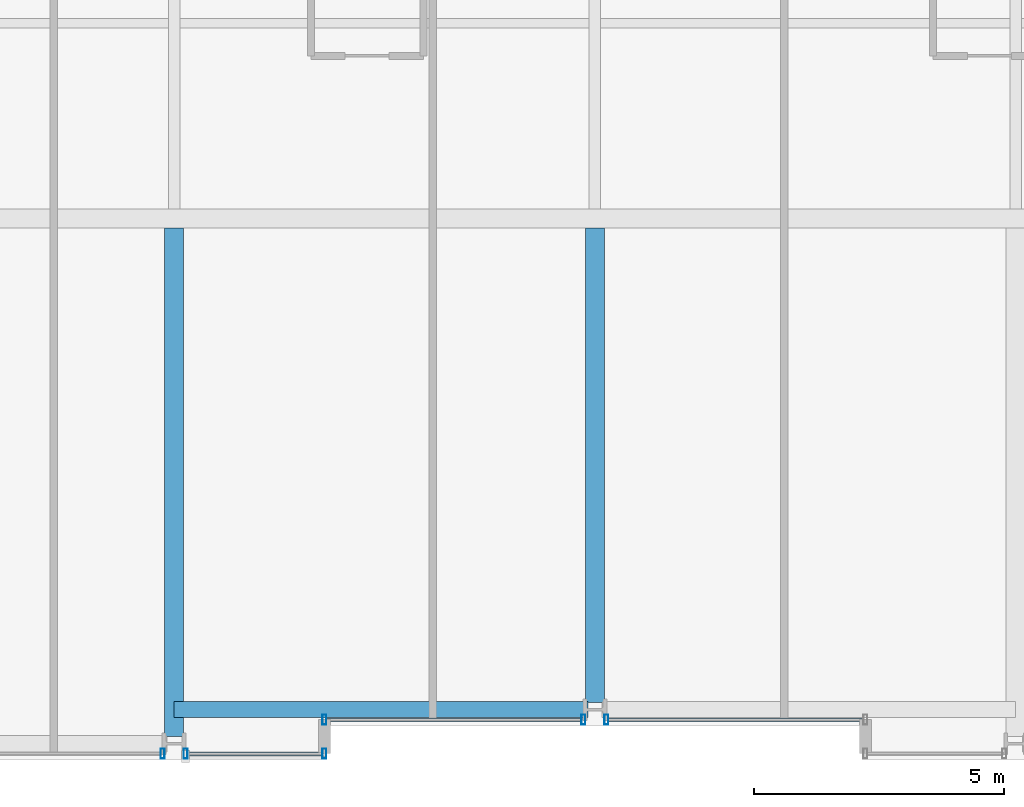
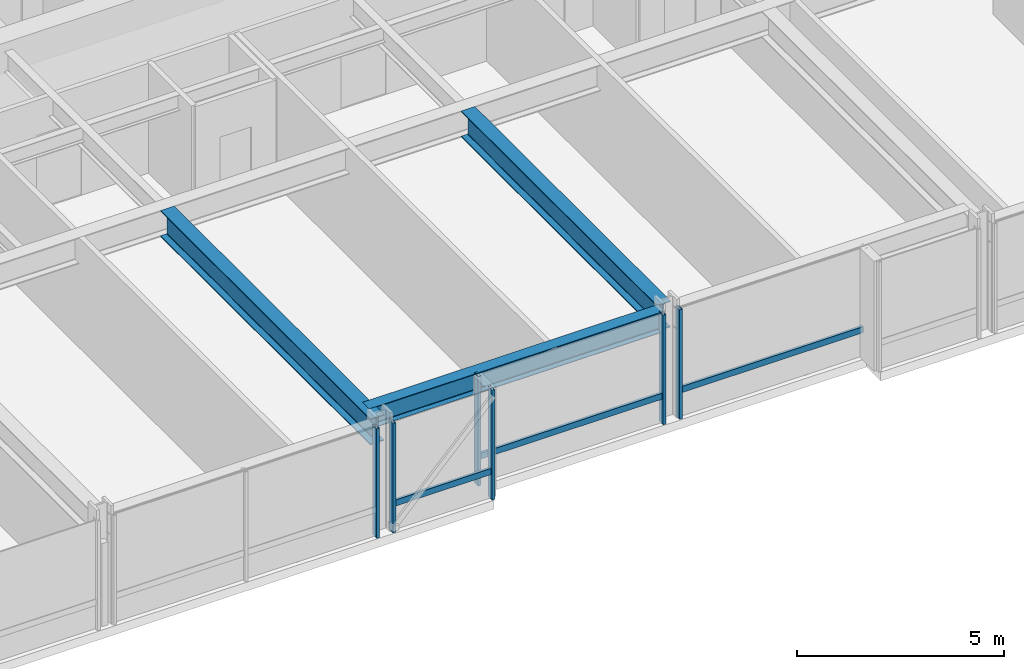
# One storey, part 5 of 38: 9 members, 3 beams, 4 elements without a shape of their own.
"""IFC4 building model written with IfcOpenShell, lengths in metres."""

import ifcopenshell
import ifcopenshell.guid

model = None  # the IFC model being written
_history = None  # IfcOwnerHistory: only IFC2X3 demands one
_inside = {}  # id of a spatial element -> (the spatial element, [elements in it])
_under = {}  # id of a project, library or spatial element -> (it, [spatial elements below it])
_declared = {}  # id of a project -> (the project, [libraries it declares])
_typed = {}  # id of a type object -> (the type object, [elements of that type])
_made_of = {}  # id of a material, layer set ... -> (it, [elements and type objects made of it])


def new_model(schema):
    """Start an empty IFC model of exactly this schema.

    Asked for "IFC4X3", IfcOpenShell would pick the latest addendum, in which some entities
    have other attributes; the version numbers below select the first issue.
    IFC2X3 requires an IfcOwnerHistory on every rooted entity: one is made here for all.
    """
    global model, _history
    if schema == "IFC4X3":
        model = ifcopenshell.file(schema_version=(4, 3, 0, 0))
    else:
        model = ifcopenshell.file(schema=schema)
    _inside.clear()
    _under.clear()
    _declared.clear()
    _typed.clear()
    _made_of.clear()
    _history = None
    if model.schema == "IFC2X3":
        org = make("IfcOrganization", Name="unknown")
        user = make(
            "IfcPersonAndOrganization",
            ThePerson=make("IfcPerson", FamilyName="unknown"),
            TheOrganization=org,
        )
        app = make(
            "IfcApplication",
            ApplicationDeveloper=org,
            Version="unknown",
            ApplicationFullName="unknown",
            ApplicationIdentifier="unknown",
        )
        _history = make(
            "IfcOwnerHistory",
            OwningUser=user,
            OwningApplication=app,
            ChangeAction="ADDED",
            CreationDate=0,
        )
    return model


def make(cls, **values):
    """One entity of the class cls with the attributes given. An attribute that is None is left unset."""
    return model.create_entity(
        cls, **{name: value for name, value in values.items() if value is not None}
    )


def rooted(cls, **values):
    """An entity with a GlobalId (a new one), such as an element, a storey or a relation."""
    return make(cls, GlobalId=ifcopenshell.guid.new(), OwnerHistory=_history, **values)


def si_unit(unit_type, name, prefix=None):
    """IfcSIUnit, for example si_unit("LENGTHUNIT", "METRE", prefix="MILLI")."""
    return make("IfcSIUnit", UnitType=unit_type, Prefix=prefix, Name=name)


def assignment(units):
    """IfcUnitAssignment: the units of a project."""
    return None if units is None else make("IfcUnitAssignment", Units=units)


def point(xyz):
    """IfcCartesianPoint."""
    return None if xyz is None else make("IfcCartesianPoint", Coordinates=xyz)


def direction(xyz):
    """IfcDirection."""
    return None if xyz is None else make("IfcDirection", DirectionRatios=xyz)


def frame(location, z_axis=None, x_axis=None):
    """IfcAxis2Placement3D, a coordinate frame: its origin and axes. An axis left out is left unset."""
    return make(
        "IfcAxis2Placement3D",
        Location=point(location),
        Axis=direction(z_axis),
        RefDirection=direction(x_axis),
    )


def frame_2d(location, x_axis=None):
    """IfcAxis2Placement2D, a coordinate frame in the plane: its origin and x axis."""
    return make(
        "IfcAxis2Placement2D", Location=point(location), RefDirection=direction(x_axis)
    )


def origin():
    """The frame at (0, 0, 0) with its axes left unset."""
    return frame((0.0, 0.0, 0.0))


def origin_2d():
    """The frame at (0, 0) in the plane with its x axis left unset."""
    return frame_2d((0.0, 0.0))


def place(relative_to, where):
    """IfcLocalPlacement: puts the frame where relative to a parent placement (None: the world)."""
    return make(
        "IfcLocalPlacement", PlacementRelTo=relative_to, RelativePlacement=where
    )


def context(
    kind, dimensions, precision=None, world=None, true_north=None, identifier=None
):
    """IfcGeometricRepresentationContext, for example the 3D "Model" context."""
    return make(
        "IfcGeometricRepresentationContext",
        ContextIdentifier=identifier,
        ContextType=kind,
        CoordinateSpaceDimension=dimensions,
        Precision=precision,
        WorldCoordinateSystem=world,
        TrueNorth=true_north,
    )


def subcontext(parent, identifier, kind, view, scale=None):
    """IfcGeometricRepresentationSubContext, for example "Body" below "Model"."""
    return make(
        "IfcGeometricRepresentationSubContext",
        ContextIdentifier=identifier,
        ContextType=kind,
        ParentContext=parent,
        TargetScale=scale,
        TargetView=view,
    )


def project(units=None, contexts=None):
    """IfcProject with its units and contexts."""
    return rooted(
        "IfcProject",
        Name="project",
        RepresentationContexts=contexts,
        UnitsInContext=assignment(units),
    )


def spatial(cls, under=None, at=None, **own):
    """A site, building, storey or space (cls), placed at a placement, below another one or the project."""
    s = rooted(cls, ObjectPlacement=at, **own)
    if under is not None:
        _under.setdefault(under.id(), (under, []))[1].append(s)
    return s


def profile(cls, at=None, kind="AREA", **sizes):
    """A parametric profile (cls). Its sizes go by their IFC names, for example OverallWidth=200.0."""
    return make(cls, ProfileType=kind, Position=at, **sizes)


def hollow_rectangle(**sizes):
    """IfcRectangleHollowProfileDef."""
    return profile("IfcRectangleHollowProfileDef", **sizes)


def i_section(**sizes):
    """IfcIShapeProfileDef."""
    return profile("IfcIShapeProfileDef", **sizes)


def extrude(swept, where, along, depth):
    """IfcExtrudedAreaSolid: the profile swept, set in the frame where, extruded along a direction by depth."""
    return make(
        "IfcExtrudedAreaSolid",
        SweptArea=swept,
        Position=where,
        ExtrudedDirection=direction(along),
        Depth=depth,
    )


def shape(context_of_items, identifier, shape_type, items):
    """IfcShapeRepresentation: the items that make up one representation, for example the "Body"."""
    return make(
        "IfcShapeRepresentation",
        ContextOfItems=context_of_items,
        RepresentationIdentifier=identifier,
        RepresentationType=shape_type,
        Items=items,
    )


def material(Name=None, Category=None):
    """IfcMaterial."""
    return make("IfcMaterial", Name=Name, Category=Category)


def layer(
    of_material, thickness, ventilated=None, Name=None, Category=None, Priority=None
):
    """IfcMaterialLayer: one layer of a wall or slab, of a material (None: an air gap)."""
    return make(
        "IfcMaterialLayer",
        Material=of_material,
        LayerThickness=thickness,
        IsVentilated=ventilated,
        Name=Name,
        Category=Category,
        Priority=Priority,
    )


def layer_set(layers, Name=None):
    """IfcMaterialLayerSet."""
    return make("IfcMaterialLayerSet", MaterialLayers=layers, LayerSetName=Name)


def material_profile(
    of_material, cross_section, Name=None, Category=None, Priority=None
):
    """IfcMaterialProfile: a cross section and its material."""
    return make(
        "IfcMaterialProfile",
        Name=Name,
        Material=of_material,
        Profile=cross_section,
        Priority=Priority,
        Category=Category,
    )


def profile_set(profiles, Name=None, composite=None):
    """IfcMaterialProfileSet."""
    return make(
        "IfcMaterialProfileSet",
        Name=Name,
        MaterialProfiles=profiles,
        CompositeProfile=composite,
    )


def made_of(thing, what):
    """Note that an element or type object is made of a material, layer set ...; save() writes the relation."""
    if what is not None:
        _made_of.setdefault(what.id(), (what, []))[1].append(thing)
    return thing


def type_object(cls, material=None, **own):
    """A type object (cls), such as IfcWallType, which elements share."""
    return made_of(rooted(cls, **own), material)


def element(
    cls,
    number,
    at=None,
    inside=None,
    cuts=None,
    type_object=None,
    material=None,
    context=None,
    identifier="Body",
    shape_type=None,
    held_by="IfcProductDefinitionShape",
    body=None,
    shapes=None,
    **own,
):
    """One element of the class cls, such as IfcWall. Its Tag is "e" and its number.

    at: its placement. inside: the storey or other place that contains it. cuts: it is an
    opening in that element (IfcRelVoidsElement). A single representation is given by context,
    identifier, shape_type and body (its items); several are given by shapes. held_by: the class
    of the entity that holds the representations. save() writes the other relations.
    """
    e = rooted(cls, Tag="e%d" % number, ObjectPlacement=at, **own)
    if body is not None:
        shapes = [shape(context, identifier, shape_type, body)]
    if shapes is not None:
        e.Representation = make(held_by, Representations=shapes)
    if inside is not None:
        _inside.setdefault(inside.id(), (inside, []))[1].append(e)
    if cuts is not None:
        rooted(
            "IfcRelVoidsElement", RelatingBuildingElement=cuts, RelatedOpeningElement=e
        )
    if type_object is not None:
        _typed.setdefault(type_object.id(), (type_object, []))[1].append(e)
    return made_of(e, material)


def aggregate(whole, parts):
    """IfcRelAggregates: a whole, such as a stair, and the parts it consists of."""
    return rooted("IfcRelAggregates", RelatingObject=whole, RelatedObjects=parts)


def save(model, path):
    """Write the relations noted so far, then the file.

    IfcRelAggregates (storeys below a building ...), IfcRelContainedInSpatialStructure (elements
    in a storey), IfcRelDefinesByType, IfcRelAssociatesMaterial and IfcRelDeclares: one each for
    every whole, place, type object, material and project.
    """
    for whole, parts in _under.values():
        aggregate(whole, parts)
    for where, things in _inside.values():
        rooted(
            "IfcRelContainedInSpatialStructure",
            RelatedElements=things,
            RelatingStructure=where,
        )
    for kind, things in _typed.values():
        rooted("IfcRelDefinesByType", RelatedObjects=things, RelatingType=kind)
    for what, things in _made_of.values():
        rooted("IfcRelAssociatesMaterial", RelatedObjects=things, RelatingMaterial=what)
    for by, libraries in _declared.values():
        rooted("IfcRelDeclares", RelatingContext=by, RelatedDefinitions=libraries)
    model.write(path)


model = new_model("IFC4")

# Units and contexts
model_context = context("Model", 3, precision=1e-05, world=origin(), true_north=direction((0.0, 1.0)))
body_context = subcontext(model_context, "Body", "Model", "MODEL_VIEW")
ifc_project = project(units=[si_unit("LENGTHUNIT", "METRE"), si_unit("AREAUNIT", "SQUARE_METRE"), si_unit("VOLUMEUNIT", "CUBIC_METRE"), si_unit("PLANEANGLEUNIT", "RADIAN"), si_unit("MASSUNIT", "GRAM", prefix="KILO")], contexts=[model_context])

# Site, building, storey
site_placement = place(None, origin())
site = spatial("IfcSite", under=ifc_project, at=site_placement, CompositionType="ELEMENT")
building_placement = place(site_placement, origin())
building = spatial("IfcBuilding", under=site, at=building_placement, Name="Drelvath Grand Hotel", CompositionType="ELEMENT")
storey_placement = place(building_placement, frame((0.0, 0.0, 61.199951171875)))
storey = spatial("IfcBuildingStorey", under=building, at=storey_placement, Name="L14", CompositionType="ELEMENT", Elevation=61.199951171875)

# Curtain wall, member
ifc_material_1 = material(Name="Warm Bronze Anodised Aluminium Frame", Category="aluminium")
ifc_layer = layer(ifc_material_1, 0.199951171875)
ifc_layer_set = layer_set([ifc_layer], Name="Warm Bronze Anodised Aluminium Frame")
curtain_wall_type = type_object("IfcCurtainWallType", Name="Stick Curtain Wall CW-02 Warm Bronze Low-Rise", PredefinedType="NOTDEFINED", material=ifc_layer_set)
curtain_wall_1_placement = place(storey_placement, origin())
curtain_wall_1 = element("IfcCurtainWall", 1, at=curtain_wall_1_placement, inside=storey, type_object=curtain_wall_type, Name="L14 CW-02 Curtain Wall CW02-L14-SM1", PredefinedType="NOTDEFINED")
ifc_material_profile_1 = material_profile(ifc_material_1, hollow_rectangle(XDim=0.074951171875, YDim=0.179931640625, WallThickness=0.0048828125, at=origin_2d()), Name="HSS180X75X5")
ifc_profile_set_1 = profile_set([ifc_material_profile_1], Name="Warm Bronze Anodised Aluminium Frame")
member_type_1 = type_object("IfcMemberType", Name="Curtain Wall Horizontal Transom CW-02 HSS180X75X5", PredefinedType="USERDEFINED", material=ifc_profile_set_1)
member_1_placement = place(storey_placement, frame((-0.26904296875, 0.800048828125, 0.81005859375), z_axis=(-1.0, 0.0, 0.0), x_axis=(0.0, -1.0, 0.0)))
member_1 = element("IfcMember", 2, at=member_1_placement, type_object=member_type_1, Name="CW02-L14-SM1 Sill Transom", ObjectType="TRANSOM", PredefinedType="USERDEFINED", context=body_context, shape_type="SweptSolid", body=[
    extrude(hollow_rectangle(XDim=0.074951171875, YDim=0.179931640625, WallThickness=0.0048828125, at=origin_2d()), origin(), (0.0, 0.0, 1.0), 5.091064453125),
])

curtain_wall_2_placement = place(storey_placement, origin())
curtain_wall_2 = element("IfcCurtainWall", 3, at=curtain_wall_2_placement, inside=storey, type_object=curtain_wall_type, Name="L14 CW-02 Curtain Wall CW02-L14-SM2", PredefinedType="NOTDEFINED")
member_2_placement = place(storey_placement, frame((5.360107421875, 0.800048828125, 0.81005859375), z_axis=(-1.0, 0.0, 0.0), x_axis=(0.0, -1.0, 0.0)))
member_2 = element("IfcMember", 4, at=member_2_placement, type_object=member_type_1, Name="CW02-L14-SM2 Sill Transom", ObjectType="TRANSOM", PredefinedType="USERDEFINED", context=body_context, shape_type="SweptSolid", body=[
    extrude(hollow_rectangle(XDim=0.074951171875, YDim=0.179931640625, WallThickness=0.0048828125, at=origin_2d()), origin(), (0.0, 0.0, 1.0), 5.091064453125),
])

curtain_wall_3_placement = place(storey_placement, origin())
curtain_wall_3 = element("IfcCurtainWall", 5, at=curtain_wall_3_placement, inside=storey, type_object=curtain_wall_type, Name="L14 CW-02 Curtain Wall CW02-L14-SW3", PredefinedType="NOTDEFINED")
member_3_placement = place(storey_placement, frame((-5.43994140625, 0.1201171875, 0.81005859375), z_axis=(-1.0, 0.0, 0.0), x_axis=(0.0, -1.0, 0.0)))
member_3 = element("IfcMember", 6, at=member_3_placement, type_object=member_type_1, Name="CW02-L14-SW3 Sill Transom", ObjectType="TRANSOM", PredefinedType="USERDEFINED", context=body_context, shape_type="SweptSolid", body=[
    extrude(hollow_rectangle(XDim=0.074951171875, YDim=0.179931640625, WallThickness=0.0048828125, at=origin_2d()), origin(), (0.0, 0.0, 1.0), 2.69091796875),
])

# Member
ifc_material_profile_2 = material_profile(ifc_material_1, hollow_rectangle(XDim=0.080078125, YDim=0.199951171875, WallThickness=0.0048828125, at=origin_2d()), Name="HSS200X80X5")
ifc_profile_set_2 = profile_set([ifc_material_profile_2], Name="Warm Bronze Anodised Aluminium Frame")
member_type_2 = type_object("IfcMemberType", Name="Curtain Wall Vertical Mullion CW-02 HSS200X80X5", PredefinedType="MULLION", material=ifc_profile_set_2)
member_4_placement = place(storey_placement, frame((-0.22900390625, 0.800048828125, 0.0), z_axis=(0.0, 0.0, 1.0), x_axis=(1.0, 0.0, 0.0)))
member_4 = element("IfcMember", 7, at=member_4_placement, type_object=member_type_2, Name="CW02-L14-SM1 Mullion 1", PredefinedType="MULLION", context=body_context, shape_type="SweptSolid", body=[
    extrude(hollow_rectangle(XDim=0.080078125, YDim=0.199951171875, WallThickness=0.0048828125, at=origin_2d()), origin(), (0.0, 0.0, 1.0), 3.239990234375),
])

member_5_placement = place(storey_placement, frame((-5.39990234375, 0.800048828125, 0.0), z_axis=(0.0, 0.0, 1.0), x_axis=(1.0, 0.0, 0.0)))
member_5 = element("IfcMember", 8, at=member_5_placement, type_object=member_type_2, Name="CW02-L14-SM1 Mullion 2", PredefinedType="MULLION", context=body_context, shape_type="SweptSolid", body=[
    extrude(hollow_rectangle(XDim=0.080078125, YDim=0.199951171875, WallThickness=0.0048828125, at=origin_2d()), origin(), (0.0, 0.0, 1.0), 3.239990234375),
])

aggregate(curtain_wall_1, [member_4, member_5, member_1])

member_6_placement = place(storey_placement, frame((0.22900390625, 0.800048828125, 0.0), z_axis=(0.0, 0.0, 1.0), x_axis=(1.0, 0.0, 0.0)))
member_6 = element("IfcMember", 9, at=member_6_placement, type_object=member_type_2, Name="CW02-L14-SM2 Mullion 2", PredefinedType="MULLION", context=body_context, shape_type="SweptSolid", body=[
    extrude(hollow_rectangle(XDim=0.080078125, YDim=0.199951171875, WallThickness=0.0048828125, at=origin_2d()), origin(), (0.0, 0.0, 1.0), 3.239990234375),
])

aggregate(curtain_wall_2, [member_6, member_2])

# Curtain wall, member
curtain_wall_4_placement = place(storey_placement, origin())
curtain_wall_4 = element("IfcCurtainWall", 10, at=curtain_wall_4_placement, inside=storey, type_object=curtain_wall_type, Name="L14 CW-02 Curtain Wall CW02-L14-SW2", PredefinedType="NOTDEFINED")
member_7_placement = place(storey_placement, frame((-8.629150390625, 0.1201171875, 0.0), z_axis=(0.0, 0.0, 1.0), x_axis=(1.0, 0.0, 0.0)))
member_7 = element("IfcMember", 11, at=member_7_placement, type_object=member_type_2, Name="CW02-L14-SW2 Mullion 1", PredefinedType="MULLION", context=body_context, shape_type="SweptSolid", body=[
    extrude(hollow_rectangle(XDim=0.080078125, YDim=0.199951171875, WallThickness=0.0048828125, at=origin_2d()), origin(), (0.0, 0.0, 1.0), 3.239990234375),
])
aggregate(curtain_wall_4, [member_7])

# Member
member_8_placement = place(storey_placement, frame((-5.39990234375, 0.1201171875, 0.0), z_axis=(0.0, 0.0, 1.0), x_axis=(1.0, 0.0, 0.0)))
member_8 = element("IfcMember", 12, at=member_8_placement, type_object=member_type_2, Name="CW02-L14-SW3 Mullion 1", PredefinedType="MULLION", context=body_context, shape_type="SweptSolid", body=[
    extrude(hollow_rectangle(XDim=0.080078125, YDim=0.199951171875, WallThickness=0.0048828125, at=origin_2d()), origin(), (0.0, 0.0, 1.0), 3.239990234375),
])

member_9_placement = place(storey_placement, frame((-8.1708984375, 0.1201171875, 0.0), z_axis=(0.0, 0.0, 1.0), x_axis=(1.0, 0.0, 0.0)))
member_9 = element("IfcMember", 13, at=member_9_placement, type_object=member_type_2, Name="CW02-L14-SW3 Mullion 2", PredefinedType="MULLION", context=body_context, shape_type="SweptSolid", body=[
    extrude(hollow_rectangle(XDim=0.080078125, YDim=0.199951171875, WallThickness=0.0048828125, at=origin_2d()), origin(), (0.0, 0.0, 1.0), 3.239990234375),
])

aggregate(curtain_wall_3, [member_8, member_9, member_3])

# Beams
ifc_material_2 = material(Name="Steel ASTM A992 Gr 50", Category="steel")
ifc_material_profile_3 = material_profile(ifc_material_2, i_section(OverallWidth=0.323974609375, OverallDepth=0.611083984375, WebThickness=0.0126953125, FlangeThickness=0.01904296875, FilletRadius=0.02197265625, at=origin_2d()), Name="W24X104")
ifc_profile_set_3 = profile_set([ifc_material_profile_3], Name="Steel ASTM A992 Gr 50")
beam_type_1 = type_object("IfcBeamType", Name="Perimeter Spandrel Beam W24X104", PredefinedType="SPANDREL", material=ifc_profile_set_3)
beam_1_placement = place(storey_placement, frame((-8.39990234375, 1.0, 2.9345703125), z_axis=(1.0, 0.0, 0.0), x_axis=(0.0, 1.0, 0.0)))
element("IfcBeam", 14, at=beam_1_placement, inside=storey, type_object=beam_type_1, Name="L14 Spandrel South Mid W", PredefinedType="SPANDREL", context=body_context, shape_type="SweptSolid", body=[
    extrude(i_section(OverallWidth=0.323974609375, OverallDepth=0.611083984375, WebThickness=0.0126953125, FlangeThickness=0.01904296875, FilletRadius=0.02197265625, at=origin_2d()), origin(), (0.0, 0.0, 1.0), 8.260009765625),
])
ifc_material_profile_4 = material_profile(ifc_material_2, i_section(OverallWidth=0.380615234375, OverallDepth=0.773193359375, WebThickness=0.0166015625, FlangeThickness=0.027099609375, FilletRadius=0.02490234375, at=origin_2d()), Name="W30X173")
ifc_profile_set_4 = profile_set([ifc_material_profile_4], Name="Steel ASTM A992 Gr 50")
beam_type_2 = type_object("IfcBeamType", Name="Primary Floor Girder W30X173", PredefinedType="BEAM", material=ifc_profile_set_4)
beam_2_placement = place(storey_placement, frame((-8.39990234375, 0.4599609375, 2.853515625), z_axis=(0.0, 1.0, 0.0), x_axis=(-1.0, 0.0, 0.0)))
element("IfcBeam", 15, at=beam_2_placement, inside=storey, type_object=beam_type_2, Name="L14 South Wing Girder 4", PredefinedType="BEAM", context=body_context, shape_type="SweptSolid", body=[
    extrude(i_section(OverallWidth=0.380615234375, OverallDepth=0.773193359375, WebThickness=0.0166015625, FlangeThickness=0.027099609375, FilletRadius=0.02490234375, at=origin_2d()), origin(), (0.0, 0.0, 1.0), 10.149658203125),
])
beam_3_placement = place(storey_placement, frame((0.0, 1.139892578125, 2.853515625), z_axis=(0.0, 1.0, 0.0), x_axis=(-1.0, 0.0, 0.0)))
element("IfcBeam", 16, at=beam_3_placement, inside=storey, type_object=beam_type_2, Name="L14 South Wing Girder 5", PredefinedType="BEAM", context=body_context, shape_type="SweptSolid", body=[
    extrude(i_section(OverallWidth=0.380615234375, OverallDepth=0.773193359375, WebThickness=0.0166015625, FlangeThickness=0.027099609375, FilletRadius=0.02490234375, at=origin_2d()), origin(), (0.0, 0.0, 1.0), 9.4697265625),
])

save(model, "model.ifc")
